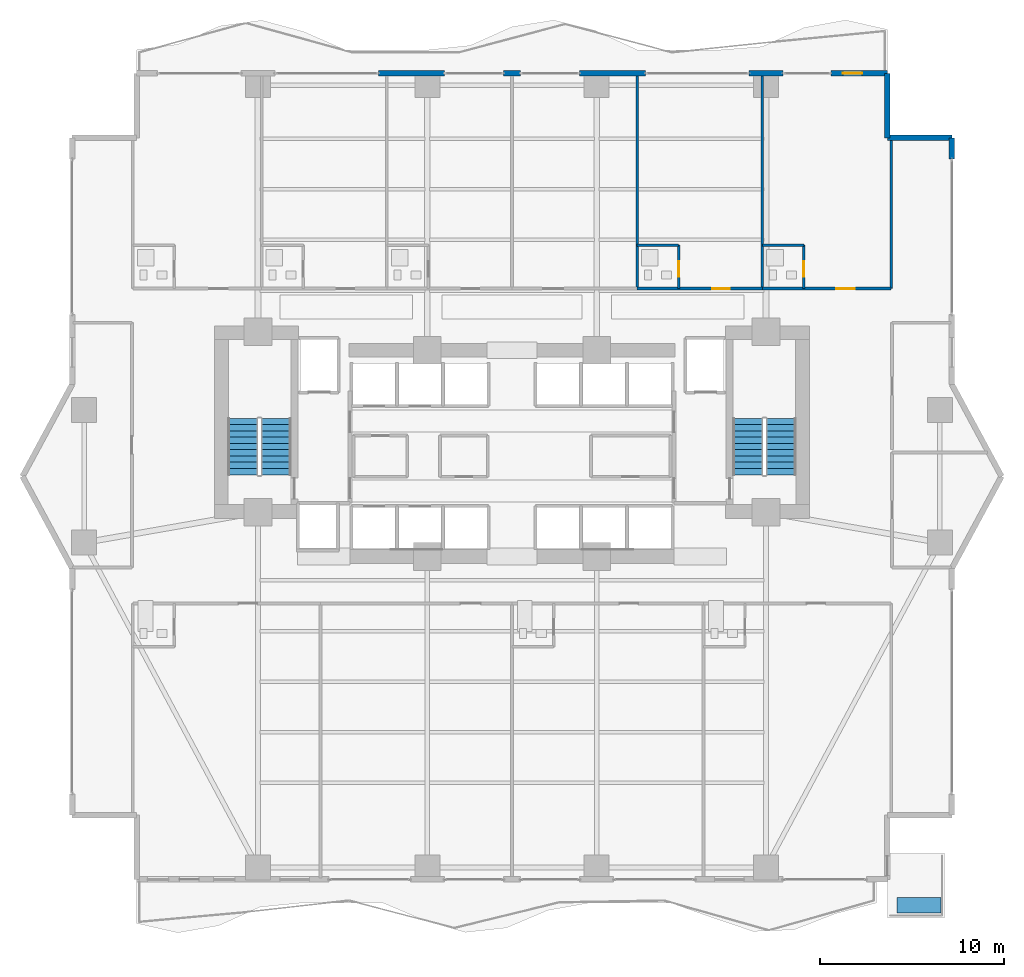
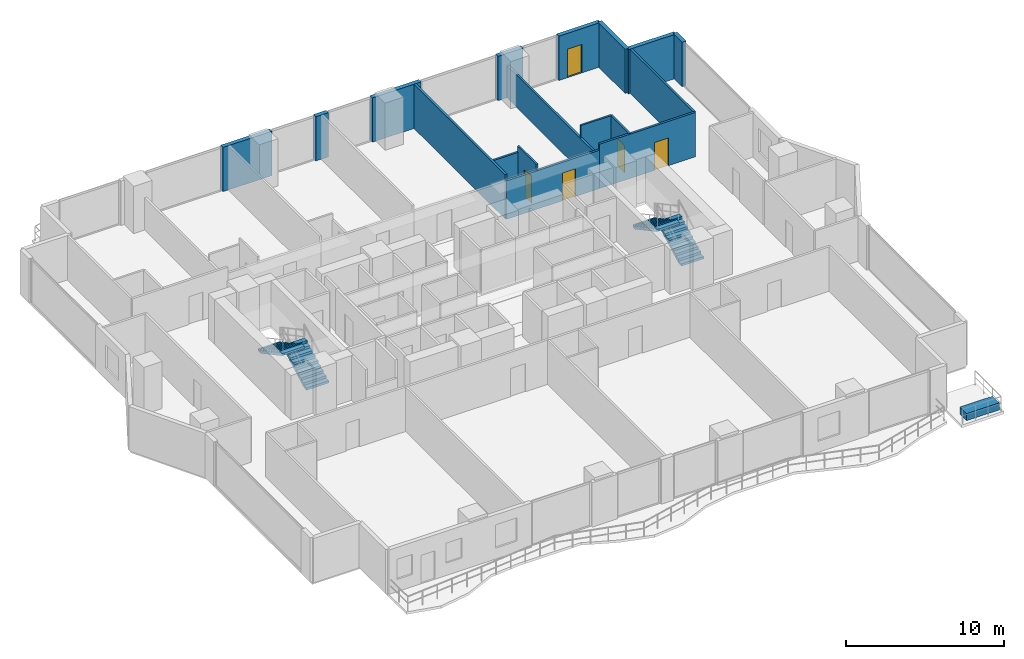
# One storey, part 24 of 29: 17 walls, 5 doors, 4 stair flights, 1 building element part, 5 openings, 2 elements without a shape of their own.
"""IFC4 building model written with IfcOpenShell, lengths in metres."""

from ifc_helpers import new_model, si_unit, direction, frame, frame_2d, origin, origin_2d, place, context, subcontext, project, spatial, polyline, rectangle, outline, extrude, material, layer, layer_set, type_object, element, fill, aggregate, save


model = new_model("IFC4")

# Units and contexts
model_context = context("Model", 3, precision=1e-05, world=origin(), true_north=direction((0.0, 1.0)))
body_context = subcontext(model_context, "Body", "Model", "MODEL_VIEW")
ifc_project = project(units=[si_unit("LENGTHUNIT", "METRE"), si_unit("AREAUNIT", "SQUARE_METRE"), si_unit("VOLUMEUNIT", "CUBIC_METRE"), si_unit("PLANEANGLEUNIT", "RADIAN"), si_unit("MASSUNIT", "GRAM", prefix="KILO")], contexts=[model_context])

# Site, building, storey
site_placement = place(None, origin())
site = spatial("IfcSite", under=ifc_project, at=site_placement, CompositionType="ELEMENT")
building_placement = place(site_placement, origin())
building = spatial("IfcBuilding", under=site, at=building_placement, Name="Zuhayl Quay Hotel", CompositionType="ELEMENT")
storey_placement = place(building_placement, frame((0.0, 0.0, 132.14990234375)))
storey = spatial("IfcBuildingStorey", under=building, at=storey_placement, Name="L33", CompositionType="ELEMENT", Elevation=132.14990234375)

# Walls
ifc_material_1 = material(Name="Precast concrete C45/55", Category="concrete")
ifc_layer_1 = layer(ifc_material_1, 0.300048828125, Name="Precast concrete C45/55", Category="concrete")
ifc_layer_set_1 = layer_set([ifc_layer_1], Name="Precast concrete C45/55")
wall_type_1 = type_object("IfcWallType", Name="WL_EXT_300", PredefinedType="STANDARD", material=ifc_layer_set_1)
wall_1_placement = place(storey_placement, frame((-7.25, 28.39990234375, 0.0), z_axis=(0.0, 0.0, 1.0), x_axis=(1.0, 0.0, 0.0)))
element("IfcWall", 1, at=wall_1_placement, inside=storey, type_object=wall_type_1, Name="L33 Exterior Precast Wall ENV_L33_N_EW3", PredefinedType="STANDARD", context=body_context, shape_type="SweptSolid", body=[
    extrude(rectangle(XDim=3.570068359375, YDim=0.300048828125, at=frame_2d((1.78515625, 0.0))), origin(), (0.0, 0.0, 1.0), 3.43017578125),
])
wall_2_placement = place(storey_placement, frame((-0.449951171875, 28.39990234375, 0.0), z_axis=(0.0, 0.0, 1.0), x_axis=(1.0, 0.0, 0.0)))
element("IfcWall", 2, at=wall_2_placement, inside=storey, type_object=wall_type_1, Name="L33 Exterior Precast Wall ENV_L33_N_EW4", PredefinedType="STANDARD", context=body_context, shape_type="SweptSolid", body=[
    extrude(rectangle(XDim=0.89990234375, YDim=0.300048828125, at=frame_2d((0.449951171875, 0.0))), origin(), (0.0, 0.0, 1.0), 3.43017578125),
])
wall_3_placement = place(storey_placement, frame((3.679931640625, 28.39990234375, 0.0), z_axis=(0.0, 0.0, 1.0), x_axis=(1.0, 0.0, 0.0)))
element("IfcWall", 3, at=wall_3_placement, inside=storey, type_object=wall_type_1, Name="L33 Exterior Precast Wall ENV_L33_N_EW5", PredefinedType="STANDARD", context=body_context, shape_type="SweptSolid", body=[
    extrude(rectangle(XDim=3.570068359375, YDim=0.300048828125, at=frame_2d((1.78515625, 0.0))), origin(), (0.0, 0.0, 1.0), 3.43017578125),
])
wall_4_placement = place(storey_placement, frame((12.8798828125, 28.39990234375, 0.0), z_axis=(0.0, 0.0, 1.0), x_axis=(1.0, 0.0, 0.0)))
element("IfcWall", 4, at=wall_4_placement, inside=storey, type_object=wall_type_1, Name="L33 Exterior Precast Wall ENV_L33_N_EW6", PredefinedType="STANDARD", context=body_context, shape_type="SweptSolid", body=[
    extrude(rectangle(XDim=1.840087890625, YDim=0.300048828125, at=frame_2d((0.919921875, 0.0))), origin(), (0.0, 0.0, 1.0), 3.43017578125),
])

# Wall, opening, door
wall_5_placement = place(storey_placement, frame((17.324951171875, 28.39990234375, 0.0), z_axis=(0.0, 0.0, 1.0), x_axis=(1.0, 0.0, 0.0)))
wall_5 = element("IfcWall", 5, at=wall_5_placement, inside=storey, type_object=wall_type_1, Name="L33 Exterior Precast Wall ENV_L33_N_EW7", PredefinedType="STANDARD", context=body_context, shape_type="SweptSolid", body=[
    extrude(rectangle(XDim=3.074951171875, YDim=0.300048828125, at=frame_2d((1.53759765625, 0.0))), origin(), (0.0, 0.0, 1.0), 3.43017578125),
])
opening_1_placement = place(wall_5_placement, frame((0.64990234375, 0.0, 0.0)))
opening_1 = element("IfcOpeningElement", 6, at=opening_1_placement, cuts=wall_5, Name="Opening DG1", PredefinedType="OPENING", context=body_context, shape_type="SweptSolid", body=[
    extrude(rectangle(XDim=1.050048828125, YDim=2.199951171875, at=frame_2d((0.52490234375, 1.10009765625))), frame((0.0, 0.159912109375, 0.0), z_axis=(0.0, -1.0, 0.0), x_axis=(1.0, 0.0, 0.0)), (0.0, 0.0, 1.0), 0.320068359375),
])
ifc_material_2 = material(Name="Anodised Aluminium and Dark Solar Glass", Category="aluminium")
door_type_1 = type_object("IfcDoorType", Name="DR_EXT_TERR_1050", OperationType="NOTDEFINED", PredefinedType="DOOR", material=ifc_material_2)
door_1_placement = place(opening_1_placement, origin())
door_1 = element("IfcDoor", 7, at=door_1_placement, inside=storey, type_object=door_type_1, Name="L33 North Rippling Balcony Door", OperationType="SINGLE_SWING_LEFT", OverallHeight=2.199951171875, OverallWidth=1.050048828125, PredefinedType="DOOR", context=body_context, shape_type="SweptSolid", body=[
    extrude(rectangle(XDim=1.050048828125, YDim=2.199951171875, at=frame_2d((0.52490234375, 1.10009765625))), frame((0.0, 0.02490234375, 0.0), z_axis=(0.0, -1.0, 0.0), x_axis=(1.0, 0.0, 0.0)), (0.0, 0.0, 1.0), 0.050048828125),
])
fill(opening_1, door_1)

# Walls
for number, where, z_axis, x_axis, name in (
    (8, (20.39990234375, 28.39990234375, 0.0), (0.0, 0.0, 1.0), (0.0, -1.0, 0.0), "L33 Exterior Precast Wall ENV_L33_EW09"),
    (9, (20.39990234375, 24.89990234375, 0.0), (0.0, 0.0, 1.0), (1.0, 0.0, 0.0), "L33 Exterior Precast Wall ENV_L33_EW10"),
):
    element("IfcWall", number, at=place(storey_placement, frame(where, z_axis=z_axis, x_axis=x_axis)), inside=storey, type_object=wall_type_1, Name=name, PredefinedType="STANDARD", context=body_context, shape_type="SweptSolid", body=[
        extrude(rectangle(XDim=3.5, YDim=0.300048828125, at=frame_2d((1.75, 0.0))), origin(), (0.0, 0.0, 1.0), 3.43017578125),
    ])
wall_6_placement = place(storey_placement, frame((23.89990234375, 24.89990234375, 0.0), z_axis=(0.0, 0.0, 1.0), x_axis=(0.0, -1.0, 0.0)))
element("IfcWall", 10, at=wall_6_placement, inside=storey, type_object=wall_type_1, Name="L33 Exterior Precast Wall ENV_L33_E11_EW1", PredefinedType="STANDARD", context=body_context, shape_type="SweptSolid", body=[
    extrude(rectangle(XDim=1.14990234375, YDim=0.300048828125, at=frame_2d((0.574951171875, 0.0))), origin(), (0.0, 0.0, 1.0), 3.43017578125),
])
ifc_material_3 = material(Name="Acoustic Gypsum Partition STC-58")
ifc_layer_2 = layer(ifc_material_3, 0.14990234375, Name="Acoustic Gypsum Partition STC-58")
ifc_layer_set_2 = layer_set([ifc_layer_2], Name="Acoustic Gypsum Partition STC-58")
wall_type_2 = type_object("IfcWallType", Name="WL_PART_150", PredefinedType="PARTITIONING", material=ifc_layer_set_2)
wall_7_placement = place(storey_placement, frame((6.800048828125, 16.699951171875, 0.0), z_axis=(0.0, 0.0, 1.0), x_axis=(0.0, 1.0, 0.0)))
element("IfcWall", 11, at=wall_7_placement, inside=storey, type_object=wall_type_2, Name="L33 Partition IW_L33_NSAL_3_E", PredefinedType="PARTITIONING", context=body_context, shape_type="SweptSolid", body=[
    extrude(rectangle(XDim=11.64013671875, YDim=0.14990234375, at=frame_2d((5.820068359375, 0.0))), origin(), (0.0, 0.0, 1.0), 3.43017578125),
])
wall_8_placement = place(storey_placement, frame((13.60009765625, 16.699951171875, 0.0), z_axis=(0.0, 0.0, 1.0), x_axis=(0.0, 1.0, 0.0)))
element("IfcWall", 12, at=wall_8_placement, inside=storey, type_object=wall_type_2, Name="L33 Partition IW_L33_NU05_E", PredefinedType="PARTITIONING", context=body_context, shape_type="SweptSolid", body=[
    extrude(rectangle(XDim=11.6201171875, YDim=0.14990234375, at=frame_2d((5.81005859375, 0.0))), origin(), (0.0, 0.0, 1.0), 2.503173828125),
])
wall_9_placement = place(storey_placement, frame((20.60009765625, 16.699951171875, 0.0), z_axis=(0.0, 0.0, 1.0), x_axis=(0.0, 1.0, 0.0)))
element("IfcWall", 13, at=wall_9_placement, inside=storey, type_object=wall_type_2, Name="L33 Partition IW_L33_NU06_E", PredefinedType="PARTITIONING", context=body_context, shape_type="SweptSolid", body=[
    extrude(rectangle(XDim=8.199951171875, YDim=0.14990234375, at=frame_2d((4.10009765625, 0.0))), origin(), (0.0, 0.0, 1.0), 3.43017578125),
])

# Wall, opening, door
ifc_layer_3 = layer(ifc_material_3, 0.159912109375, Name="Acoustic Gypsum Partition STC-58")
ifc_layer_set_3 = layer_set([ifc_layer_3], Name="Acoustic Gypsum Partition STC-58")
wall_type_3 = type_object("IfcWallType", Name="WL_PART_CORR_160", PredefinedType="PARTITIONING", material=ifc_layer_set_3)
wall_10_placement = place(storey_placement, frame((6.800048828125, 16.699951171875, 0.0), z_axis=(0.0, 0.0, 1.0), x_axis=(1.0, 0.0, 0.0)))
wall_10 = element("IfcWall", 14, at=wall_10_placement, inside=storey, type_object=wall_type_3, Name="L33 Partition IW_L33_NU05_COR", PredefinedType="PARTITIONING", context=body_context, shape_type="SweptSolid", body=[
    extrude(rectangle(XDim=6.800048828125, YDim=0.159912109375, at=frame_2d((3.39990234375, 0.0))), origin(), (0.0, 0.0, 1.0), 2.97314453125),
])
opening_2_placement = place(wall_10_placement, frame((4.074951171875, 0.0, 0.0)))
opening_2 = element("IfcOpeningElement", 15, at=opening_2_placement, cuts=wall_10, Name="Opening D03", PredefinedType="OPENING", context=body_context, shape_type="SweptSolid", body=[
    extrude(rectangle(XDim=0.949951171875, YDim=2.14990234375, at=frame_2d((0.47509765625, 1.074951171875))), frame((0.0, 0.08984375, 0.0), z_axis=(0.0, -1.0, 0.0), x_axis=(1.0, 0.0, 0.0)), (0.0, 0.0, 1.0), 0.179931640625),
])
ifc_material_4 = material(Name="Solid Walnut Acoustic Fire Door")
door_type_2 = type_object("IfcDoorType", Name="DR_SUITE_950", OperationType="NOTDEFINED", PredefinedType="DOOR", material=ifc_material_4)
door_2_placement = place(opening_2_placement, origin())
door_2 = element("IfcDoor", 16, at=door_2_placement, inside=storey, type_object=door_type_2, Name="L33 Deluxe Gulf Guest Room L33-05 Entrance Door", OperationType="SINGLE_SWING_LEFT", OverallHeight=2.14990234375, OverallWidth=0.949951171875, PredefinedType="DOOR", context=body_context, shape_type="SweptSolid", body=[
    extrude(rectangle(XDim=0.949951171875, YDim=2.14990234375, at=frame_2d((0.47509765625, 1.074951171875))), frame((0.0, 0.02490234375, 0.0), z_axis=(0.0, -1.0, 0.0), x_axis=(1.0, 0.0, 0.0)), (0.0, 0.0, 1.0), 0.050048828125),
])
fill(opening_2, door_2)

wall_11_placement = place(storey_placement, frame((13.60009765625, 16.699951171875, 0.0), z_axis=(0.0, 0.0, 1.0), x_axis=(1.0, 0.0, 0.0)))
wall_11 = element("IfcWall", 17, at=wall_11_placement, inside=storey, type_object=wall_type_3, Name="L33 Partition IW_L33_NU06_COR", PredefinedType="PARTITIONING", context=body_context, shape_type="SweptSolid", body=[
    extrude(rectangle(XDim=7.0, YDim=0.159912109375, at=frame_2d((3.5, 0.0))), origin(), (0.0, 0.0, 1.0), 3.43017578125),
])
opening_3_placement = place(wall_11_placement, frame((4.02490234375, 0.0, 0.0)))
opening_3 = element("IfcOpeningElement", 18, at=opening_3_placement, cuts=wall_11, Name="Opening D03L", PredefinedType="OPENING", context=body_context, shape_type="SweptSolid", body=[
    extrude(rectangle(XDim=1.0, YDim=2.14990234375, at=frame_2d((0.5, 1.074951171875))), frame((0.0, 0.08984375, 0.0), z_axis=(0.0, -1.0, 0.0), x_axis=(1.0, 0.0, 0.0)), (0.0, 0.0, 1.0), 0.179931640625),
])
door_type_3 = type_object("IfcDoorType", Name="DR_SUITE_1000", OperationType="NOTDEFINED", PredefinedType="DOOR", material=ifc_material_4)
door_3_placement = place(opening_3_placement, origin())
door_3 = element("IfcDoor", 19, at=door_3_placement, inside=storey, type_object=door_type_3, Name="L33 Deluxe Gulf Junior Suite L33-06 Entrance Door", OperationType="SINGLE_SWING_LEFT", OverallHeight=2.14990234375, OverallWidth=1.0, PredefinedType="DOOR", context=body_context, shape_type="SweptSolid", body=[
    extrude(rectangle(XDim=1.0, YDim=2.14990234375, at=frame_2d((0.5, 1.074951171875))), frame((0.0, 0.02490234375, 0.0), z_axis=(0.0, -1.0, 0.0), x_axis=(1.0, 0.0, 0.0)), (0.0, 0.0, 1.0), 0.050048828125),
])
fill(opening_3, door_3)

ifc_material_5 = material(Name="Moisture-Resistant Sanitarychase Gypsum")
ifc_layer_4 = layer(ifc_material_5, 0.135009765625, Name="Moisture-Resistant Sanitarychase Gypsum")
ifc_layer_set_4 = layer_set([ifc_layer_4], Name="Moisture-Resistant Sanitarychase Gypsum")
wall_type_4 = type_object("IfcWallType", Name="WL_PART_PLUMB_150", PredefinedType="PLUMBINGWALL", material=ifc_layer_set_4)
wall_12_placement = place(storey_placement, frame((9.06005859375, 16.699951171875, 0.0), z_axis=(0.0, 0.0, 1.0), x_axis=(0.0, 1.0, 0.0)))
wall_12 = element("IfcWall", 20, at=wall_12_placement, inside=storey, type_object=wall_type_4, Name="L33 Partition IW_L33_NU05_BE", PredefinedType="PLUMBINGWALL", context=body_context, shape_type="SweptSolid", body=[
    extrude(rectangle(XDim=2.360107421875, YDim=0.135009765625, at=frame_2d((1.18017578125, 0.0))), origin(), (0.0, 0.0, 1.0), 3.43017578125),
])
opening_4_placement = place(wall_12_placement, frame((0.64990234375, 0.0, 0.0)))
opening_4 = element("IfcOpeningElement", 21, at=opening_4_placement, cuts=wall_12, Name="Opening D04", PredefinedType="OPENING", context=body_context, shape_type="SweptSolid", body=[
    extrude(rectangle(XDim=0.85009765625, YDim=2.10009765625, at=frame_2d((0.425048828125, 1.050048828125))), frame((0.0, 0.077392578125, 0.0), z_axis=(0.0, -1.0, 0.0), x_axis=(1.0, 0.0, 0.0)), (0.0, 0.0, 1.0), 0.155029296875),
])
ifc_material_6 = material(Name="Moisture-Resistant Walnut Veneer")
door_type_4 = type_object("IfcDoorType", Name="DR_BATH_850", OperationType="NOTDEFINED", PredefinedType="DOOR", material=ifc_material_6)
door_4_placement = place(opening_4_placement, origin())
door_4 = element("IfcDoor", 22, at=door_4_placement, inside=storey, type_object=door_type_4, Name="L33 Deluxe Gulf Guest Room L33-05 En-Suite Door", OperationType="SINGLE_SWING_RIGHT", OverallHeight=2.10009765625, OverallWidth=0.85009765625, PredefinedType="DOOR", context=body_context, shape_type="SweptSolid", body=[
    extrude(rectangle(XDim=0.85009765625, YDim=2.10009765625, at=frame_2d((0.425048828125, 1.050048828125))), frame((0.0, 0.02490234375, 0.0), z_axis=(0.0, -1.0, 0.0), x_axis=(1.0, 0.0, 0.0)), (0.0, 0.0, 1.0), 0.050048828125),
])
fill(opening_4, door_4)

wall_13_placement = place(storey_placement, frame((15.860107421875, 16.699951171875, 0.0), z_axis=(0.0, 0.0, 1.0), x_axis=(0.0, 1.0, 0.0)))
wall_13 = element("IfcWall", 23, at=wall_13_placement, inside=storey, type_object=wall_type_4, Name="L33 Partition IW_L33_NU06_BE", PredefinedType="PLUMBINGWALL", context=body_context, shape_type="SweptSolid", body=[
    extrude(rectangle(XDim=2.360107421875, YDim=0.135009765625, at=frame_2d((1.18017578125, 0.0))), origin(), (0.0, 0.0, 1.0), 3.43017578125),
])
opening_5_placement = place(wall_13_placement, frame((0.64990234375, 0.0, 0.0)))
opening_5 = element("IfcOpeningElement", 24, at=opening_5_placement, cuts=wall_13, Name="Opening D04", PredefinedType="OPENING", context=body_context, shape_type="SweptSolid", body=[
    extrude(rectangle(XDim=0.85009765625, YDim=2.10009765625, at=frame_2d((0.425048828125, 1.050048828125))), frame((0.0, 0.077392578125, 0.0), z_axis=(0.0, -1.0, 0.0), x_axis=(1.0, 0.0, 0.0)), (0.0, 0.0, 1.0), 0.155029296875),
])
door_5_placement = place(opening_5_placement, origin())
door_5 = element("IfcDoor", 25, at=door_5_placement, inside=storey, type_object=door_type_4, Name="L33 Deluxe Gulf Junior Suite L33-06 En-Suite Door", OperationType="SINGLE_SWING_RIGHT", OverallHeight=2.10009765625, OverallWidth=0.85009765625, PredefinedType="DOOR", context=body_context, shape_type="SweptSolid", body=[
    extrude(rectangle(XDim=0.85009765625, YDim=2.10009765625, at=frame_2d((0.425048828125, 1.050048828125))), frame((0.0, 0.02490234375, 0.0), z_axis=(0.0, -1.0, 0.0), x_axis=(1.0, 0.0, 0.0)), (0.0, 0.0, 1.0), 0.050048828125),
])
fill(opening_5, door_5)

# Walls
wall_14_placement = place(storey_placement, frame((6.800048828125, 19.06005859375, 0.0), z_axis=(0.0, 0.0, 1.0), x_axis=(1.0, 0.0, 0.0)))
element("IfcWall", 26, at=wall_14_placement, inside=storey, type_object=wall_type_4, Name="L33 Partition IW_L33_NU05_BN", PredefinedType="PLUMBINGWALL", context=body_context, shape_type="SweptSolid", body=[
    extrude(rectangle(XDim=2.260009765625, YDim=0.135009765625, at=frame_2d((1.1298828125, 0.0))), origin(), (0.0, 0.0, 1.0), 2.97314453125),
])
wall_15_placement = place(storey_placement, frame((13.60009765625, 19.06005859375, 0.0), z_axis=(0.0, 0.0, 1.0), x_axis=(1.0, 0.0, 0.0)))
element("IfcWall", 27, at=wall_15_placement, inside=storey, type_object=wall_type_4, Name="L33 Partition IW_L33_NU06_BN", PredefinedType="PLUMBINGWALL", context=body_context, shape_type="SweptSolid", body=[
    extrude(rectangle(XDim=2.260009765625, YDim=0.135009765625, at=frame_2d((1.1298828125, 0.0))), origin(), (0.0, 0.0, 1.0), 3.43017578125),
])

# Stair, stair flights
ifc_material_7 = material(Name="Concrete C45/55", Category="concrete")
stair_type = type_object("IfcStairType", Name="ST_DOGLEG_TOWER", PredefinedType="HALF_TURN_STAIR", material=ifc_material_7)
stair_1_placement = place(storey_placement, origin())
stair_1 = element("IfcStair", 28, at=stair_1_placement, inside=storey, type_object=stair_type, Name="L33 Smokeproof Exit Stair ST1", PredefinedType="HALF_TURN_STAIR")
ifc_layer_5 = layer(ifc_material_7, 0.159912109375, Name="Concrete C45/55", Category="concrete")
ifc_layer_set_5 = layer_set([ifc_layer_5], Name="Concrete C45/55")
stair_flight_type = type_object("IfcStairFlightType", Name="SF_CONC_164", PredefinedType="STRAIGHT", material=ifc_layer_set_5)
stair_flight_1_placement = place(storey_placement, frame((-12.820068359375, 6.590087890625, 0.0), z_axis=(0.0, 0.0, 1.0), x_axis=(0.0, 1.0, 0.0)))
stair_flight_1 = element("IfcStairFlight", 29, at=stair_flight_1_placement, type_object=stair_flight_type, Name="ST1 flight 1", NumberOfRisers=10, NumberOfTreads=9, PredefinedType="STRAIGHT", RiserHeight=0.1825, TreadLength=0.34, context=body_context, shape_type="SweptSolid", body=[
    extrude(outline(polyline([(0.0, 0.0), (0.0, 0.1826171875), (0.340087890625, 0.1826171875), (0.340087890625, 0.364990234375), (0.679931640625, 0.364990234375), (0.679931640625, 0.547607421875), (1.02001953125, 0.547607421875), (1.02001953125, 0.72998046875), (1.360107421875, 0.72998046875), (1.360107421875, 0.91259765625), (1.699951171875, 0.91259765625), (1.699951171875, 1.094970703125), (2.0400390625, 1.094970703125), (2.0400390625, 1.277587890625), (2.3798828125, 1.277587890625), (2.3798828125, 1.4599609375), (2.719970703125, 1.4599609375), (2.719970703125, 1.642578125), (3.06005859375, 1.642578125), (3.06005859375, 1.824951171875), (3.06005859375, 1.472412109375), (0.31689453125, 0.0), (0.0, 0.0)])), frame((0.0, 0.81982421875, 0.0), z_axis=(0.0, -1.0, 0.0), x_axis=(1.0, 0.0, 0.0)), (0.0, 0.0, 1.0), 1.639892578125),
])
stair_flight_2_placement = place(storey_placement, frame((-14.610107421875, 9.64990234375, 1.8251953125), z_axis=(0.0, 0.0, 1.0), x_axis=(0.0, -1.0, 0.0)))
stair_flight_2 = element("IfcStairFlight", 30, at=stair_flight_2_placement, type_object=stair_flight_type, Name="ST1 flight 2", NumberOfRisers=10, NumberOfTreads=9, PredefinedType="STRAIGHT", RiserHeight=0.1825, TreadLength=0.34, context=body_context, shape_type="SweptSolid", body=[
    extrude(outline(polyline([(0.0, 0.0), (0.0, 0.1826171875), (0.340087890625, 0.1826171875), (0.340087890625, 0.364990234375), (0.679931640625, 0.364990234375), (0.679931640625, 0.547607421875), (1.02001953125, 0.547607421875), (1.02001953125, 0.72998046875), (1.360107421875, 0.72998046875), (1.360107421875, 0.91259765625), (1.699951171875, 0.91259765625), (1.699951171875, 1.094970703125), (2.0400390625, 1.094970703125), (2.0400390625, 1.277587890625), (2.3798828125, 1.277587890625), (2.3798828125, 1.4599609375), (2.719970703125, 1.4599609375), (2.719970703125, 1.642578125), (3.06005859375, 1.642578125), (3.06005859375, 1.824951171875), (3.06005859375, 1.472412109375), (0.31689453125, 0.0), (0.0, 0.0)])), frame((0.0, 0.81982421875, 0.0), z_axis=(0.0, -1.0, 0.0), x_axis=(1.0, 0.0, 0.0)), (0.0, 0.0, 1.0), 1.639892578125),
])
aggregate(stair_1, [stair_flight_1, stair_flight_2])

stair_2_placement = place(storey_placement, origin())
stair_2 = element("IfcStair", 31, at=stair_2_placement, inside=storey, type_object=stair_type, Name="L33 Smokeproof Exit Stair ST2", PredefinedType="HALF_TURN_STAIR")
stair_flight_3_placement = place(storey_placement, frame((14.610107421875, 6.590087890625, 0.0), z_axis=(0.0, 0.0, 1.0), x_axis=(0.0, 1.0, 0.0)))
stair_flight_3 = element("IfcStairFlight", 32, at=stair_flight_3_placement, type_object=stair_flight_type, Name="ST2 flight 1", NumberOfRisers=10, NumberOfTreads=9, PredefinedType="STRAIGHT", RiserHeight=0.1825, TreadLength=0.34, context=body_context, shape_type="SweptSolid", body=[
    extrude(outline(polyline([(0.0, 0.0), (0.0, 0.1826171875), (0.340087890625, 0.1826171875), (0.340087890625, 0.364990234375), (0.679931640625, 0.364990234375), (0.679931640625, 0.547607421875), (1.02001953125, 0.547607421875), (1.02001953125, 0.72998046875), (1.360107421875, 0.72998046875), (1.360107421875, 0.91259765625), (1.699951171875, 0.91259765625), (1.699951171875, 1.094970703125), (2.0400390625, 1.094970703125), (2.0400390625, 1.277587890625), (2.3798828125, 1.277587890625), (2.3798828125, 1.4599609375), (2.719970703125, 1.4599609375), (2.719970703125, 1.642578125), (3.06005859375, 1.642578125), (3.06005859375, 1.824951171875), (3.06005859375, 1.472412109375), (0.31689453125, 0.0), (0.0, 0.0)])), frame((0.0, 0.81982421875, 0.0), z_axis=(0.0, -1.0, 0.0), x_axis=(1.0, 0.0, 0.0)), (0.0, 0.0, 1.0), 1.639892578125),
])
stair_flight_4_placement = place(storey_placement, frame((12.820068359375, 9.64990234375, 1.8251953125), z_axis=(0.0, 0.0, 1.0), x_axis=(0.0, -1.0, 0.0)))
stair_flight_4 = element("IfcStairFlight", 33, at=stair_flight_4_placement, type_object=stair_flight_type, Name="ST2 flight 2", NumberOfRisers=10, NumberOfTreads=9, PredefinedType="STRAIGHT", RiserHeight=0.1825, TreadLength=0.34, context=body_context, shape_type="SweptSolid", body=[
    extrude(outline(polyline([(0.0, 0.0), (0.0, 0.1826171875), (0.340087890625, 0.1826171875), (0.340087890625, 0.364990234375), (0.679931640625, 0.364990234375), (0.679931640625, 0.547607421875), (1.02001953125, 0.547607421875), (1.02001953125, 0.72998046875), (1.360107421875, 0.72998046875), (1.360107421875, 0.91259765625), (1.699951171875, 0.91259765625), (1.699951171875, 1.094970703125), (2.0400390625, 1.094970703125), (2.0400390625, 1.277587890625), (2.3798828125, 1.277587890625), (2.3798828125, 1.4599609375), (2.719970703125, 1.4599609375), (2.719970703125, 1.642578125), (3.06005859375, 1.642578125), (3.06005859375, 1.824951171875), (3.06005859375, 1.472412109375), (0.31689453125, 0.0), (0.0, 0.0)])), frame((0.0, 0.81982421875, 0.0), z_axis=(0.0, -1.0, 0.0), x_axis=(1.0, 0.0, 0.0)), (0.0, 0.0, 1.0), 1.639892578125),
])
aggregate(stair_2, [stair_flight_3, stair_flight_4])

# Building element part
ifc_layer_6 = layer(ifc_material_1, 0.550048828125, Name="Precast concrete C45/55", Category="concrete")
ifc_layer_set_6 = layer_set([ifc_layer_6], Name="Precast concrete C45/55")
building_element_part_type = type_object("IfcBuildingElementPartType", Name="PT_PLANTER_KERB", PredefinedType="PRECASTPANEL", material=ifc_layer_set_6)
building_element_part_placement = place(storey_placement, frame((22.110107421875, -16.81005859375, 0.0), z_axis=(0.0, 0.0, 1.0), x_axis=(1.0, 0.0, 0.0)))
element("IfcBuildingElementPart", 34, at=building_element_part_placement, inside=storey, type_object=building_element_part_type, Name="L33 Spiral Sky-Terrace Planter Box SE", PredefinedType="PRECASTPANEL", context=body_context, shape_type="SweptSolid", body=[
    extrude(rectangle(XDim=2.39990234375, YDim=0.85009765625, at=origin_2d()), origin(), (0.0, 0.0, 1.0), 0.550048828125),
])

save(model, "model.ifc")
